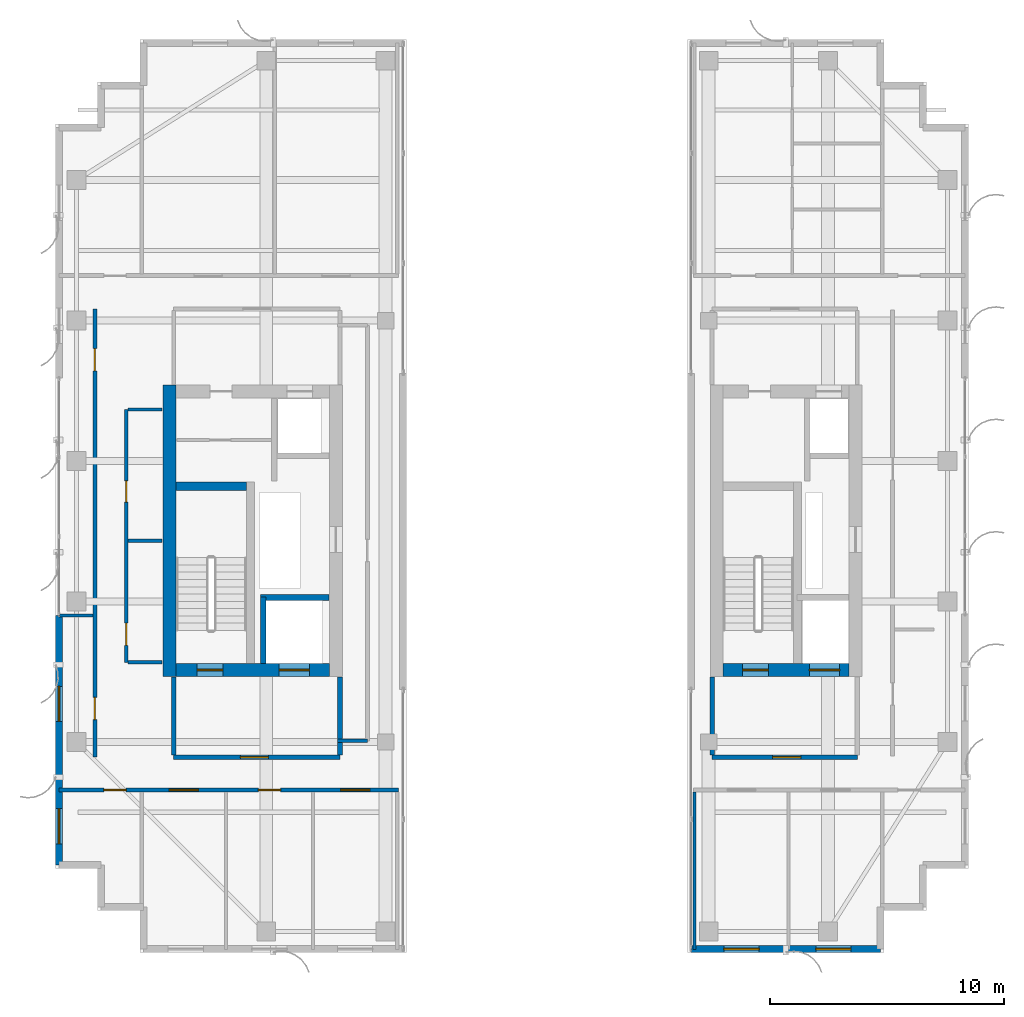
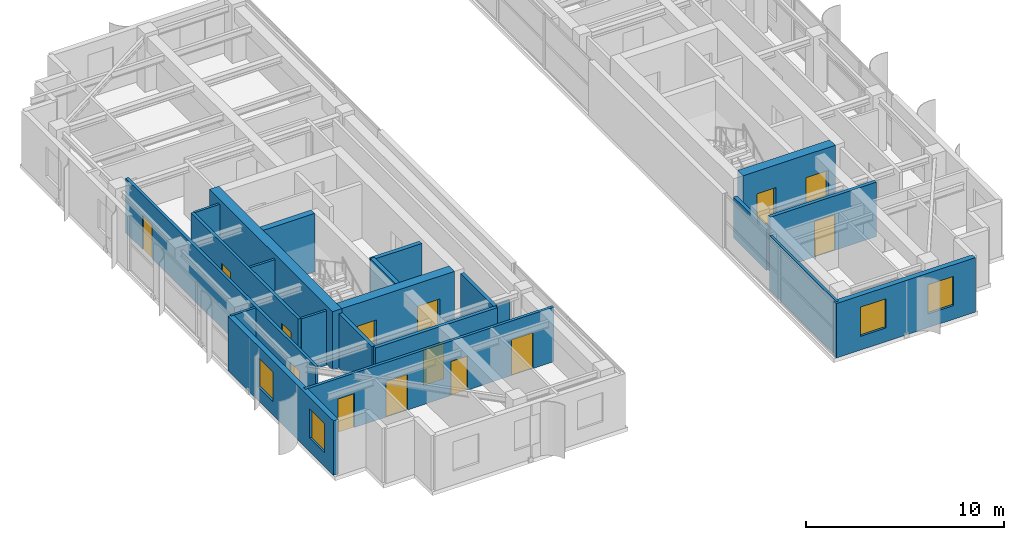
# One storey, part 18 of 24: 22 walls, 14 doors, 4 windows, 18 openings.
"""IFC4 building model written with IfcOpenShell, lengths in metres."""

import ifcopenshell
import ifcopenshell.guid

model = None  # the IFC model being written
_history = None  # IfcOwnerHistory: only IFC2X3 demands one
_inside = {}  # id of a spatial element -> (the spatial element, [elements in it])
_under = {}  # id of a project, library or spatial element -> (it, [spatial elements below it])
_declared = {}  # id of a project -> (the project, [libraries it declares])
_typed = {}  # id of a type object -> (the type object, [elements of that type])
_made_of = {}  # id of a material, layer set ... -> (it, [elements and type objects made of it])


def new_model(schema):
    """Start an empty IFC model of exactly this schema.

    Asked for "IFC4X3", IfcOpenShell would pick the latest addendum, in which some entities
    have other attributes; the version numbers below select the first issue.
    IFC2X3 requires an IfcOwnerHistory on every rooted entity: one is made here for all.
    """
    global model, _history
    if schema == "IFC4X3":
        model = ifcopenshell.file(schema_version=(4, 3, 0, 0))
    else:
        model = ifcopenshell.file(schema=schema)
    _inside.clear()
    _under.clear()
    _declared.clear()
    _typed.clear()
    _made_of.clear()
    _history = None
    if model.schema == "IFC2X3":
        org = make("IfcOrganization", Name="unknown")
        user = make(
            "IfcPersonAndOrganization",
            ThePerson=make("IfcPerson", FamilyName="unknown"),
            TheOrganization=org,
        )
        app = make(
            "IfcApplication",
            ApplicationDeveloper=org,
            Version="unknown",
            ApplicationFullName="unknown",
            ApplicationIdentifier="unknown",
        )
        _history = make(
            "IfcOwnerHistory",
            OwningUser=user,
            OwningApplication=app,
            ChangeAction="ADDED",
            CreationDate=0,
        )
    return model


def make(cls, **values):
    """One entity of the class cls with the attributes given. An attribute that is None is left unset."""
    return model.create_entity(
        cls, **{name: value for name, value in values.items() if value is not None}
    )


def rooted(cls, **values):
    """An entity with a GlobalId (a new one), such as an element, a storey or a relation."""
    return make(cls, GlobalId=ifcopenshell.guid.new(), OwnerHistory=_history, **values)


def si_unit(unit_type, name, prefix=None):
    """IfcSIUnit, for example si_unit("LENGTHUNIT", "METRE", prefix="MILLI")."""
    return make("IfcSIUnit", UnitType=unit_type, Prefix=prefix, Name=name)


def assignment(units):
    """IfcUnitAssignment: the units of a project."""
    return None if units is None else make("IfcUnitAssignment", Units=units)


def point(xyz):
    """IfcCartesianPoint."""
    return None if xyz is None else make("IfcCartesianPoint", Coordinates=xyz)


def direction(xyz):
    """IfcDirection."""
    return None if xyz is None else make("IfcDirection", DirectionRatios=xyz)


def frame(location, z_axis=None, x_axis=None):
    """IfcAxis2Placement3D, a coordinate frame: its origin and axes. An axis left out is left unset."""
    return make(
        "IfcAxis2Placement3D",
        Location=point(location),
        Axis=direction(z_axis),
        RefDirection=direction(x_axis),
    )


def frame_2d(location, x_axis=None):
    """IfcAxis2Placement2D, a coordinate frame in the plane: its origin and x axis."""
    return make(
        "IfcAxis2Placement2D", Location=point(location), RefDirection=direction(x_axis)
    )


def origin():
    """The frame at (0, 0, 0) with its axes left unset."""
    return frame((0.0, 0.0, 0.0))


def place(relative_to, where):
    """IfcLocalPlacement: puts the frame where relative to a parent placement (None: the world)."""
    return make(
        "IfcLocalPlacement", PlacementRelTo=relative_to, RelativePlacement=where
    )


def context(
    kind, dimensions, precision=None, world=None, true_north=None, identifier=None
):
    """IfcGeometricRepresentationContext, for example the 3D "Model" context."""
    return make(
        "IfcGeometricRepresentationContext",
        ContextIdentifier=identifier,
        ContextType=kind,
        CoordinateSpaceDimension=dimensions,
        Precision=precision,
        WorldCoordinateSystem=world,
        TrueNorth=true_north,
    )


def subcontext(parent, identifier, kind, view, scale=None):
    """IfcGeometricRepresentationSubContext, for example "Body" below "Model"."""
    return make(
        "IfcGeometricRepresentationSubContext",
        ContextIdentifier=identifier,
        ContextType=kind,
        ParentContext=parent,
        TargetScale=scale,
        TargetView=view,
    )


def project(units=None, contexts=None):
    """IfcProject with its units and contexts."""
    return rooted(
        "IfcProject",
        Name="project",
        RepresentationContexts=contexts,
        UnitsInContext=assignment(units),
    )


def spatial(cls, under=None, at=None, **own):
    """A site, building, storey or space (cls), placed at a placement, below another one or the project."""
    s = rooted(cls, ObjectPlacement=at, **own)
    if under is not None:
        _under.setdefault(under.id(), (under, []))[1].append(s)
    return s


def profile(cls, at=None, kind="AREA", **sizes):
    """A parametric profile (cls). Its sizes go by their IFC names, for example OverallWidth=200.0."""
    return make(cls, ProfileType=kind, Position=at, **sizes)


def rectangle(**sizes):
    """IfcRectangleProfileDef."""
    return profile("IfcRectangleProfileDef", **sizes)


def extrude(swept, where, along, depth):
    """IfcExtrudedAreaSolid: the profile swept, set in the frame where, extruded along a direction by depth."""
    return make(
        "IfcExtrudedAreaSolid",
        SweptArea=swept,
        Position=where,
        ExtrudedDirection=direction(along),
        Depth=depth,
    )


def shape(context_of_items, identifier, shape_type, items):
    """IfcShapeRepresentation: the items that make up one representation, for example the "Body"."""
    return make(
        "IfcShapeRepresentation",
        ContextOfItems=context_of_items,
        RepresentationIdentifier=identifier,
        RepresentationType=shape_type,
        Items=items,
    )


def source(mapping_origin, context_of_items, identifier, shape_type, items):
    """IfcRepresentationMap: a shape defined once, which mapped items show again and again."""
    return make(
        "IfcRepresentationMap",
        MappingOrigin=mapping_origin,
        MappedRepresentation=shape(context_of_items, identifier, shape_type, items),
    )


def transform(
    local_origin,
    x_axis=None,
    y_axis=None,
    z_axis=None,
    scale=None,
    scale2=None,
    scale3=None,
    uniform=True,
):
    """IfcCartesianTransformationOperator3D, or its non-uniform kind. x_axis, y_axis, z_axis: its Axis1, 2, 3."""
    if uniform:
        return make(
            "IfcCartesianTransformationOperator3D",
            Axis1=direction(x_axis),
            Axis2=direction(y_axis),
            LocalOrigin=point(local_origin),
            Scale=scale,
            Axis3=direction(z_axis),
        )
    return make(
        "IfcCartesianTransformationOperator3DnonUniform",
        Axis1=direction(x_axis),
        Axis2=direction(y_axis),
        LocalOrigin=point(local_origin),
        Scale=scale,
        Axis3=direction(z_axis),
        Scale2=scale2,
        Scale3=scale3,
    )


def mapped(mapping_source, mapping_target):
    """IfcMappedItem: shows the shape of a source again, moved by a transform."""
    return make(
        "IfcMappedItem", MappingSource=mapping_source, MappingTarget=mapping_target
    )


def material(Name=None, Category=None):
    """IfcMaterial."""
    return make("IfcMaterial", Name=Name, Category=Category)


def layer(
    of_material, thickness, ventilated=None, Name=None, Category=None, Priority=None
):
    """IfcMaterialLayer: one layer of a wall or slab, of a material (None: an air gap)."""
    return make(
        "IfcMaterialLayer",
        Material=of_material,
        LayerThickness=thickness,
        IsVentilated=ventilated,
        Name=Name,
        Category=Category,
        Priority=Priority,
    )


def layer_set(layers, Name=None):
    """IfcMaterialLayerSet."""
    return make("IfcMaterialLayerSet", MaterialLayers=layers, LayerSetName=Name)


def made_of(thing, what):
    """Note that an element or type object is made of a material, layer set ...; save() writes the relation."""
    if what is not None:
        _made_of.setdefault(what.id(), (what, []))[1].append(thing)
    return thing


def type_object(cls, material=None, **own):
    """A type object (cls), such as IfcWallType, which elements share."""
    return made_of(rooted(cls, **own), material)


def element(
    cls,
    number,
    at=None,
    inside=None,
    cuts=None,
    type_object=None,
    material=None,
    context=None,
    identifier="Body",
    shape_type=None,
    held_by="IfcProductDefinitionShape",
    body=None,
    shapes=None,
    **own,
):
    """One element of the class cls, such as IfcWall. Its Tag is "e" and its number.

    at: its placement. inside: the storey or other place that contains it. cuts: it is an
    opening in that element (IfcRelVoidsElement). A single representation is given by context,
    identifier, shape_type and body (its items); several are given by shapes. held_by: the class
    of the entity that holds the representations. save() writes the other relations.
    """
    e = rooted(cls, Tag="e%d" % number, ObjectPlacement=at, **own)
    if body is not None:
        shapes = [shape(context, identifier, shape_type, body)]
    if shapes is not None:
        e.Representation = make(held_by, Representations=shapes)
    if inside is not None:
        _inside.setdefault(inside.id(), (inside, []))[1].append(e)
    if cuts is not None:
        rooted(
            "IfcRelVoidsElement", RelatingBuildingElement=cuts, RelatedOpeningElement=e
        )
    if type_object is not None:
        _typed.setdefault(type_object.id(), (type_object, []))[1].append(e)
    return made_of(e, material)


def fill(opening, filler):
    """IfcRelFillsElement: the door or window that sits in an opening."""
    return rooted(
        "IfcRelFillsElement",
        RelatingOpeningElement=opening,
        RelatedBuildingElement=filler,
    )


def aggregate(whole, parts):
    """IfcRelAggregates: a whole, such as a stair, and the parts it consists of."""
    return rooted("IfcRelAggregates", RelatingObject=whole, RelatedObjects=parts)


def save(model, path):
    """Write the relations noted so far, then the file.

    IfcRelAggregates (storeys below a building ...), IfcRelContainedInSpatialStructure (elements
    in a storey), IfcRelDefinesByType, IfcRelAssociatesMaterial and IfcRelDeclares: one each for
    every whole, place, type object, material and project.
    """
    for whole, parts in _under.values():
        aggregate(whole, parts)
    for where, things in _inside.values():
        rooted(
            "IfcRelContainedInSpatialStructure",
            RelatedElements=things,
            RelatingStructure=where,
        )
    for kind, things in _typed.values():
        rooted("IfcRelDefinesByType", RelatedObjects=things, RelatingType=kind)
    for what, things in _made_of.values():
        rooted("IfcRelAssociatesMaterial", RelatedObjects=things, RelatingMaterial=what)
    for by, libraries in _declared.values():
        rooted("IfcRelDeclares", RelatingContext=by, RelatedDefinitions=libraries)
    model.write(path)


model = new_model("IFC4")

# Units and contexts
model_context = context("Model", 3, precision=1e-05, world=origin(), true_north=direction((0.0, 1.0)))
body_context = subcontext(model_context, "Body", "Model", "MODEL_VIEW")
ifc_project = project(units=[si_unit("LENGTHUNIT", "METRE"), si_unit("AREAUNIT", "SQUARE_METRE"), si_unit("VOLUMEUNIT", "CUBIC_METRE"), si_unit("PLANEANGLEUNIT", "RADIAN"), si_unit("MASSUNIT", "GRAM", prefix="KILO")], contexts=[model_context])

# Site, building, storey
site_placement = place(None, origin())
site = spatial("IfcSite", under=ifc_project, at=site_placement, CompositionType="ELEMENT")
building_placement = place(site_placement, origin())
building = spatial("IfcBuilding", under=site, at=building_placement, Name="Khoralis Quay Care Tower", CompositionType="ELEMENT")
storey_placement = place(building_placement, frame((0.0, 0.0, 249.300048828125)))
storey = spatial("IfcBuildingStorey", under=building, at=storey_placement, Name="L65", CompositionType="ELEMENT", Elevation=249.300048828125)

# Wall, opening, door
ifc_material_1 = material(Name="Gypsum plasterboard on acoustic metal stud")
ifc_layer_1 = layer(ifc_material_1, 0.199951171875)
ifc_layer_set_1 = layer_set([ifc_layer_1], Name="Gypsum plasterboard on acoustic metal stud")
wall_type_1 = type_object("IfcWallType", Name="WL-COMP-200", PredefinedType="PARTITIONING", material=ifc_layer_set_1)
wall_1_placement = place(storey_placement, frame((8.050048828125, 11.35009765625, 0.0), z_axis=(0.0, 0.0, 1.0), x_axis=(1.0, 0.0, 0.0)))
wall_1 = element("IfcWall", 1, at=wall_1_placement, inside=storey, type_object=wall_type_1, Name="L65 West Firefighting Lobby South Wall", PredefinedType="PARTITIONING", context=body_context, shape_type="SweptSolid", body=[
    extrude(rectangle(XDim=7.099853515625, YDim=0.199951171875, at=frame_2d((3.5498046875, 0.0))), origin(), (0.0, 0.0, 1.0), 3.35986328125),
])
opening_1_placement = place(wall_1_placement, frame((2.846435546875, 0.0, 0.0)))
opening_1 = element("IfcOpeningElement", 2, at=opening_1_placement, cuts=wall_1, Name="Opening FD1", PredefinedType="OPENING", context=body_context, shape_type="SweptSolid", body=[
    extrude(rectangle(XDim=1.199951171875, YDim=2.199951171875, at=frame_2d((0.60009765625, 1.10009765625))), frame((0.0, 0.10986328125, 0.0), z_axis=(0.0, -1.0, 0.0), x_axis=(1.0, 0.0, 0.0)), (0.0, 0.0, 1.0), 0.219970703125),
])
ifc_material_2 = material(Name="Fire-rated painted steel", Category="steel")
door_type_1 = type_object("IfcDoorType", Name="DR-FFL-1200X2200", OperationType="NOTDEFINED", PredefinedType="DOOR", material=ifc_material_2)
shared_shape_1 = source(origin(), body_context, "Body", "SweptSolid", [
    extrude(rectangle(XDim=1.199951171875, YDim=2.199951171875, at=frame_2d((0.60009765625, 1.10009765625))), frame((0.0, 0.02490234375, 0.0), z_axis=(0.0, -1.0, 0.0), x_axis=(1.0, 0.0, 0.0)), (0.0, 0.0, 1.0), 0.050048828125),
])
door_1_placement = place(opening_1_placement, origin())
door_1 = element("IfcDoor", 3, at=door_1_placement, inside=storey, type_object=door_type_1, Name="L65 West Firefighting Lobby Fire Door", OperationType="SINGLE_SWING_LEFT", OverallHeight=2.199951171875, OverallWidth=1.199951171875, PredefinedType="DOOR", context=body_context, shape_type="MappedRepresentation", body=[
    mapped(shared_shape_1, transform((0.0, 0.0, 0.0), scale=1.0)),
])
fill(opening_1, door_1)

# Walls
for number, where, z_axis, x_axis, name in (
    (4, (8.050048828125, 11.445068359375, 0.0), (0.0, 0.0, 1.0), (0.0, 1.0, 0.0), "L65 West Firefighting Lobby West Wall"),
    (5, (15.14990234375, 11.445068359375, 0.0), (0.0, 0.0, 1.0), (0.0, 1.0, 0.0), "L65 West Firefighting Lobby East Wall"),
):
    element("IfcWall", number, at=place(storey_placement, frame(where, z_axis=z_axis, x_axis=x_axis)), inside=storey, type_object=wall_type_1, Name=name, PredefinedType="PARTITIONING", context=body_context, shape_type="SweptSolid", body=[
        extrude(rectangle(XDim=3.3349609375, YDim=0.199951171875, at=frame_2d((1.66748046875, 0.0))), origin(), (0.0, 0.0, 1.0), 3.35986328125),
    ])

# Wall, opening, door
wall_2_placement = place(storey_placement, frame((31.050048828125, 11.35009765625, 0.0), z_axis=(0.0, 0.0, 1.0), x_axis=(1.0, 0.0, 0.0)))
wall_2 = element("IfcWall", 6, at=wall_2_placement, inside=storey, type_object=wall_type_1, Name="L65 East Firefighting Lobby South Wall", PredefinedType="PARTITIONING", context=body_context, shape_type="SweptSolid", body=[
    extrude(rectangle(XDim=6.199951171875, YDim=0.199951171875, at=frame_2d((3.10009765625, 0.0))), origin(), (0.0, 0.0, 1.0), 3.35986328125),
])
opening_2_placement = place(wall_2_placement, frame((2.585693359375, 0.0, 0.0)))
opening_2 = element("IfcOpeningElement", 7, at=opening_2_placement, cuts=wall_2, Name="Opening FD1", PredefinedType="OPENING", context=body_context, shape_type="SweptSolid", body=[
    extrude(rectangle(XDim=1.199951171875, YDim=2.199951171875, at=frame_2d((0.60009765625, 1.10009765625))), frame((0.0, 0.10986328125, 0.0), z_axis=(0.0, -1.0, 0.0), x_axis=(1.0, 0.0, 0.0)), (0.0, 0.0, 1.0), 0.219970703125),
])
door_2_placement = place(opening_2_placement, origin())
door_2 = element("IfcDoor", 8, at=door_2_placement, inside=storey, type_object=door_type_1, Name="L65 East Firefighting Lobby Fire Door", OperationType="SINGLE_SWING_RIGHT", OverallHeight=2.199951171875, OverallWidth=1.199951171875, PredefinedType="DOOR", context=body_context, shape_type="MappedRepresentation", body=[
    mapped(shared_shape_1, transform((0.0, 0.0, 0.0), scale=1.0)),
])
fill(opening_2, door_2)

# Walls
wall_3_placement = place(storey_placement, frame((31.050048828125, 11.445068359375, 0.0), z_axis=(0.0, 0.0, 1.0), x_axis=(0.0, 1.0, 0.0)))
element("IfcWall", 9, at=wall_3_placement, inside=storey, type_object=wall_type_1, Name="L65 East Firefighting Lobby West Wall", PredefinedType="PARTITIONING", context=body_context, shape_type="SweptSolid", body=[
    extrude(rectangle(XDim=3.3349609375, YDim=0.199951171875, at=frame_2d((1.66748046875, 0.0))), origin(), (0.0, 0.0, 1.0), 2.510009765625),
])
ifc_material_3 = material(Name="Concrete C65/80", Category="concrete")
ifc_layer_2 = layer(ifc_material_3, 0.550048828125)
ifc_layer_set_2 = layer_set([ifc_layer_2], Name="Concrete C65/80")
wall_type_2 = type_object("IfcWallType", Name="WL-CORE-550", PredefinedType="SHEAR", material=ifc_layer_set_2)
wall_4_placement = place(storey_placement, frame((7.875, 14.800048828125, 0.0), z_axis=(0.0, 0.0, 1.0), x_axis=(0.0, 1.0, 0.0)))
element("IfcWall", 10, at=wall_4_placement, inside=storey, type_object=wall_type_2, Name="L65 WCORE West Shear Wall", PredefinedType="SHEAR", context=body_context, shape_type="SweptSolid", body=[
    extrude(rectangle(XDim=12.449951171875, YDim=0.550048828125, at=frame_2d((6.22509765625, 0.0))), origin(), (0.0, 0.0, 1.0), 3.599853515625),
])

# Wall, openings, doors
wall_5_placement = place(storey_placement, frame((8.14990234375, 15.074951171875, 0.0), z_axis=(0.0, 0.0, 1.0), x_axis=(1.0, 0.0, 0.0)))
wall_5 = element("IfcWall", 11, at=wall_5_placement, inside=storey, type_object=wall_type_2, Name="L65 WCORE South Shear Wall", PredefinedType="SHEAR", context=body_context, shape_type="SweptSolid", body=[
    extrude(rectangle(XDim=6.550048828125, YDim=0.550048828125, at=frame_2d((3.27490234375, 0.0))), origin(), (0.0, 0.0, 1.0), 3.599853515625),
])
opening_3_placement = place(wall_5_placement, frame((0.89990234375, 0.0, 0.0)))
opening_3 = element("IfcOpeningElement", 12, at=opening_3_placement, cuts=wall_5, Name="Opening SD1", PredefinedType="OPENING", context=body_context, shape_type="SweptSolid", body=[
    extrude(rectangle(XDim=1.10009765625, YDim=2.199951171875, at=frame_2d((0.550048828125, 1.10009765625))), frame((0.0, 0.28515625, 0.0), z_axis=(0.0, -1.0, 0.0), x_axis=(1.0, 0.0, 0.0)), (0.0, 0.0, 1.0), 0.570068359375),
])
opening_4_placement = place(wall_5_placement, frame((4.39990234375, 0.0, 0.0)))
opening_4 = element("IfcOpeningElement", 13, at=opening_4_placement, cuts=wall_5, Name="Opening LD2", PredefinedType="OPENING", context=body_context, shape_type="SweptSolid", body=[
    extrude(rectangle(XDim=1.300048828125, YDim=2.199951171875, at=frame_2d((0.64990234375, 1.10009765625))), frame((0.0, 0.28515625, 0.0), z_axis=(0.0, -1.0, 0.0), x_axis=(1.0, 0.0, 0.0)), (0.0, 0.0, 1.0), 0.570068359375),
])
door_type_2 = type_object("IfcDoorType", Name="DR-STAIR-1100X2200", OperationType="NOTDEFINED", PredefinedType="DOOR", material=ifc_material_2)
shared_shape_2 = source(origin(), body_context, "Body", "SweptSolid", [
    extrude(rectangle(XDim=1.10009765625, YDim=2.199951171875, at=frame_2d((0.550048828125, 1.10009765625))), frame((0.0, 0.02490234375, 0.0), z_axis=(0.0, -1.0, 0.0), x_axis=(1.0, 0.0, 0.0)), (0.0, 0.0, 1.0), 0.050048828125),
])
door_3_placement = place(opening_3_placement, origin())
door_3 = element("IfcDoor", 14, at=door_3_placement, inside=storey, type_object=door_type_2, Name="L65 Stair ST-T1 Fire Door", OperationType="SINGLE_SWING_LEFT", OverallHeight=2.199951171875, OverallWidth=1.10009765625, PredefinedType="DOOR", context=body_context, shape_type="MappedRepresentation", body=[
    mapped(shared_shape_2, transform((0.0, 0.0, 0.0), scale=1.0)),
])
fill(opening_3, door_3)
ifc_material_4 = material(Name="Brushed stainless steel", Category="steel")
door_type_3 = type_object("IfcDoorType", Name="DR-LIFT-1300X2200", OperationType="SLIDING_TO_RIGHT", PredefinedType="DOOR", material=ifc_material_4)
shared_shape_3 = source(origin(), body_context, "Body", "SweptSolid", [
    extrude(rectangle(XDim=1.300048828125, YDim=2.199951171875, at=frame_2d((0.64990234375, 1.10009765625))), frame((0.0, 0.02490234375, 0.0), z_axis=(0.0, -1.0, 0.0), x_axis=(1.0, 0.0, 0.0)), (0.0, 0.0, 1.0), 0.050048828125),
])
door_4_placement = place(opening_4_placement, origin())
door_4 = element("IfcDoor", 15, at=door_4_placement, inside=storey, type_object=door_type_3, Name="L65 Firefighting Lift FFL-1 Landing Door", OperationType="SLIDING_TO_RIGHT", OverallHeight=2.199951171875, OverallWidth=1.300048828125, PredefinedType="DOOR", context=body_context, shape_type="MappedRepresentation", body=[
    mapped(shared_shape_3, transform((0.0, 0.0, 0.0), scale=1.0)),
])
fill(opening_4, door_4)

wall_6_placement = place(storey_placement, frame((31.52001953125, 15.074951171875, 0.0), z_axis=(0.0, 0.0, 1.0), x_axis=(1.0, 0.0, 0.0)))
wall_6 = element("IfcWall", 16, at=wall_6_placement, inside=storey, type_object=wall_type_2, Name="L65 ECORE South Shear Wall", PredefinedType="SHEAR", context=body_context, shape_type="SweptSolid", body=[
    extrude(rectangle(XDim=5.3798828125, YDim=0.550048828125, at=frame_2d((2.68994140625, 0.0))), origin(), (0.0, 0.0, 1.0), 3.599853515625),
])
opening_5_placement = place(wall_6_placement, frame((0.830078125, 0.0, 0.0)))
opening_5 = element("IfcOpeningElement", 17, at=opening_5_placement, cuts=wall_6, Name="Opening SD1", PredefinedType="OPENING", context=body_context, shape_type="SweptSolid", body=[
    extrude(rectangle(XDim=1.10009765625, YDim=2.199951171875, at=frame_2d((0.550048828125, 1.10009765625))), frame((0.0, 0.28515625, 0.0), z_axis=(0.0, -1.0, 0.0), x_axis=(1.0, 0.0, 0.0)), (0.0, 0.0, 1.0), 0.570068359375),
])
opening_6_placement = place(wall_6_placement, frame((3.679931640625, 0.0, 0.0)))
opening_6 = element("IfcOpeningElement", 18, at=opening_6_placement, cuts=wall_6, Name="Opening LD2", PredefinedType="OPENING", context=body_context, shape_type="SweptSolid", body=[
    extrude(rectangle(XDim=1.300048828125, YDim=2.199951171875, at=frame_2d((0.64990234375, 1.10009765625))), frame((0.0, 0.28515625, 0.0), z_axis=(0.0, -1.0, 0.0), x_axis=(1.0, 0.0, 0.0)), (0.0, 0.0, 1.0), 0.570068359375),
])
door_5_placement = place(opening_5_placement, origin())
door_5 = element("IfcDoor", 19, at=door_5_placement, inside=storey, type_object=door_type_2, Name="L65 Stair ST-T2 Fire Door", OperationType="SINGLE_SWING_RIGHT", OverallHeight=2.199951171875, OverallWidth=1.10009765625, PredefinedType="DOOR", context=body_context, shape_type="MappedRepresentation", body=[
    mapped(shared_shape_2, transform((0.0, 0.0, 0.0), scale=1.0)),
])
fill(opening_5, door_5)
door_6_placement = place(opening_6_placement, origin())
door_6 = element("IfcDoor", 20, at=door_6_placement, inside=storey, type_object=door_type_3, Name="L65 Firefighting Lift FFL-2 Landing Door", OperationType="SLIDING_TO_RIGHT", OverallHeight=2.199951171875, OverallWidth=1.300048828125, PredefinedType="DOOR", context=body_context, shape_type="MappedRepresentation", body=[
    mapped(shared_shape_3, transform((0.0, 0.0, 0.0), scale=1.0)),
])
fill(opening_6, door_6)

ifc_layer_3 = layer(ifc_material_1, 0.1650390625)
ifc_layer_set_3 = layer_set([ifc_layer_3], Name="Gypsum plasterboard on acoustic metal stud")
wall_type_3 = type_object("IfcWallType", Name="WL-CORR-165", PredefinedType="PARTITIONING", material=ifc_layer_set_3)
wall_7_placement = place(storey_placement, frame((6.02001953125, 15.39990234375, 0.0), z_axis=(0.0, 0.0, 1.0), x_axis=(0.0, 1.0, 0.0)))
wall_7 = element("IfcWall", 21, at=wall_7_placement, inside=storey, type_object=wall_type_3, Name="L65 West Core Service Flank Wall", PredefinedType="PARTITIONING", context=body_context, shape_type="SweptSolid", body=[
    extrude(rectangle(XDim=10.800048828125, YDim=0.1650390625, at=frame_2d((5.39990234375, 0.0))), origin(), (0.0, 0.0, 1.0), 3.35986328125),
])
opening_7_placement = place(wall_7_placement, frame((0.72509765625, 0.0, 0.0)))
opening_7 = element("IfcOpeningElement", 22, at=opening_7_placement, cuts=wall_7, Name="Opening ID1", PredefinedType="OPENING", context=body_context, shape_type="SweptSolid", body=[
    extrude(rectangle(XDim=0.949951171875, YDim=2.10009765625, at=frame_2d((0.47509765625, 1.050048828125))), frame((0.0, 0.092529296875, 0.0), z_axis=(0.0, -1.0, 0.0), x_axis=(1.0, 0.0, 0.0)), (0.0, 0.0, 1.0), 0.18505859375),
])
opening_8_placement = place(wall_7_placement, frame((6.85009765625, 0.0, 0.0)))
opening_8 = element("IfcOpeningElement", 23, at=opening_8_placement, cuts=wall_7, Name="Opening WD1", PredefinedType="OPENING", context=body_context, shape_type="SweptSolid", body=[
    extrude(rectangle(XDim=0.89990234375, YDim=2.10009765625, at=frame_2d((0.449951171875, 1.050048828125))), frame((0.0, 0.092529296875, 0.0), z_axis=(0.0, -1.0, 0.0), x_axis=(1.0, 0.0, 0.0)), (0.0, 0.0, 1.0), 0.18505859375),
])
ifc_material_5 = material(Name="Acoustic hardwood timber", Category="wood")
door_type_4 = type_object("IfcDoorType", Name="DR-BATH-900X2100", OperationType="NOTDEFINED", PredefinedType="DOOR", material=ifc_material_5)
shared_shape_4 = source(origin(), body_context, "Body", "SweptSolid", [
    extrude(rectangle(XDim=0.89990234375, YDim=2.10009765625, at=frame_2d((0.449951171875, 1.050048828125))), frame((0.0, 0.02490234375, 0.0), z_axis=(0.0, -1.0, 0.0), x_axis=(1.0, 0.0, 0.0)), (0.0, 0.0, 1.0), 0.050048828125),
])
door_7_placement = place(opening_8_placement, frame((0.89990234375, 0.0, 0.0), z_axis=(0.0, 0.0, 1.0), x_axis=(-1.0, 0.0, 0.0)))
door_7 = element("IfcDoor", 24, at=door_7_placement, inside=storey, type_object=door_type_4, Name="L65 Public Accessible WC Door", OperationType="SINGLE_SWING_LEFT", OverallHeight=2.10009765625, OverallWidth=0.89990234375, PredefinedType="DOOR", context=body_context, shape_type="MappedRepresentation", body=[
    mapped(shared_shape_4, transform((0.0, 0.0, 0.0), scale=1.0)),
])
fill(opening_8, door_7)
door_type_5 = type_object("IfcDoorType", Name="DR-ROOM-950X2100", OperationType="NOTDEFINED", PredefinedType="DOOR", material=ifc_material_5)
shared_shape_5 = source(origin(), body_context, "Body", "SweptSolid", [
    extrude(rectangle(XDim=0.949951171875, YDim=2.10009765625, at=frame_2d((0.47509765625, 1.050048828125))), frame((0.0, 0.02490234375, 0.0), z_axis=(0.0, -1.0, 0.0), x_axis=(1.0, 0.0, 0.0)), (0.0, 0.0, 1.0), 0.050048828125),
])
door_8_placement = place(opening_7_placement, frame((0.949951171875, 0.0, 0.0), z_axis=(0.0, 0.0, 1.0), x_axis=(-1.0, 0.0, 0.0)))
door_8 = element("IfcDoor", 25, at=door_8_placement, inside=storey, type_object=door_type_5, Name="L65 Housekeeping Linen Store Door", OperationType="SINGLE_SWING_RIGHT", OverallHeight=2.10009765625, OverallWidth=0.949951171875, PredefinedType="DOOR", context=body_context, shape_type="MappedRepresentation", body=[
    mapped(shared_shape_5, transform((0.0, 0.0, 0.0), scale=1.0)),
])
fill(opening_7, door_8)

wall_8_placement = place(storey_placement, frame((3.14501953125, 9.949951171875, 0.0), z_axis=(0.0, 0.0, 1.0), x_axis=(1.0, 0.0, 0.0)))
wall_8 = element("IfcWall", 26, at=wall_8_placement, inside=storey, type_object=wall_type_3, Name="L65 West Wing South Corridor Wall", PredefinedType="PARTITIONING", context=body_context, shape_type="SweptSolid", body=[
    extrude(rectangle(XDim=14.5048828125, YDim=0.1650390625, at=frame_2d((7.25244140625, 0.0))), origin(), (0.0, 0.0, 1.0), 3.35986328125),
])
opening_9_placement = place(wall_8_placement, frame((4.7099609375, 0.0, 0.0)))
opening_9 = element("IfcOpeningElement", 27, at=opening_9_placement, cuts=wall_8, Name="Opening CD1", PredefinedType="OPENING", context=body_context, shape_type="SweptSolid", body=[
    extrude(rectangle(XDim=1.25, YDim=2.199951171875, at=frame_2d((0.625, 1.10009765625))), frame((0.0, 0.092529296875, 0.0), z_axis=(0.0, -1.0, 0.0), x_axis=(1.0, 0.0, 0.0)), (0.0, 0.0, 1.0), 0.18505859375),
])
opening_10_placement = place(wall_8_placement, frame((8.52001953125, 0.0, 0.0)))
opening_10 = element("IfcOpeningElement", 28, at=opening_10_placement, cuts=wall_8, Name="Opening ID1", PredefinedType="OPENING", context=body_context, shape_type="SweptSolid", body=[
    extrude(rectangle(XDim=0.949951171875, YDim=2.10009765625, at=frame_2d((0.47509765625, 1.050048828125))), frame((0.0, 0.092529296875, 0.0), z_axis=(0.0, -1.0, 0.0), x_axis=(1.0, 0.0, 0.0)), (0.0, 0.0, 1.0), 0.18505859375),
])
opening_11_placement = place(wall_8_placement, frame((12.030029296875, 0.0, 0.0)))
opening_11 = element("IfcOpeningElement", 29, at=opening_11_placement, cuts=wall_8, Name="Opening CD1", PredefinedType="OPENING", context=body_context, shape_type="SweptSolid", body=[
    extrude(rectangle(XDim=1.25, YDim=2.199951171875, at=frame_2d((0.625, 1.10009765625))), frame((0.0, 0.092529296875, 0.0), z_axis=(0.0, -1.0, 0.0), x_axis=(1.0, 0.0, 0.0)), (0.0, 0.0, 1.0), 0.18505859375),
])
opening_12_placement = place(wall_8_placement, frame((1.919921875, 0.0, 0.0)))
opening_12 = element("IfcOpeningElement", 30, at=opening_12_placement, cuts=wall_8, Name="Opening ID1", PredefinedType="OPENING", context=body_context, shape_type="SweptSolid", body=[
    extrude(rectangle(XDim=0.949951171875, YDim=2.10009765625, at=frame_2d((0.47509765625, 1.050048828125))), frame((0.0, 0.092529296875, 0.0), z_axis=(0.0, -1.0, 0.0), x_axis=(1.0, 0.0, 0.0)), (0.0, 0.0, 1.0), 0.18505859375),
])
door_type_6 = type_object("IfcDoorType", Name="DR-CARE-1250X2200", OperationType="NOTDEFINED", PredefinedType="DOOR", material=ifc_material_5)
shared_shape_6 = source(origin(), body_context, "Body", "SweptSolid", [
    extrude(rectangle(XDim=1.25, YDim=2.199951171875, at=frame_2d((0.625, 1.10009765625))), frame((0.0, 0.02490234375, 0.0), z_axis=(0.0, -1.0, 0.0), x_axis=(1.0, 0.0, 0.0)), (0.0, 0.0, 1.0), 0.050048828125),
])
door_9_placement = place(opening_9_placement, frame((1.25, 0.0, 0.0), z_axis=(0.0, 0.0, 1.0), x_axis=(-1.0, 0.0, 0.0)))
door_9 = element("IfcDoor", 31, at=door_9_placement, inside=storey, type_object=door_type_6, Name="L65 Geriatric Consultation Clinic Door", OperationType="SINGLE_SWING_RIGHT", OverallHeight=2.199951171875, OverallWidth=1.25, PredefinedType="DOOR", context=body_context, shape_type="MappedRepresentation", body=[
    mapped(shared_shape_6, transform((0.0, 0.0, 0.0), scale=1.0)),
])
fill(opening_9, door_9)
door_10_placement = place(opening_11_placement, frame((1.25, 0.0, 0.0), z_axis=(0.0, 0.0, 1.0), x_axis=(-1.0, 0.0, 0.0)))
door_10 = element("IfcDoor", 32, at=door_10_placement, inside=storey, type_object=door_type_6, Name="L65 Physiotherapy Treatment Clinic Door", OperationType="SINGLE_SWING_RIGHT", OverallHeight=2.199951171875, OverallWidth=1.25, PredefinedType="DOOR", context=body_context, shape_type="MappedRepresentation", body=[
    mapped(shared_shape_6, transform((0.0, 0.0, 0.0), scale=1.0)),
])
fill(opening_11, door_10)
door_11_placement = place(opening_10_placement, frame((0.949951171875, 0.0, 0.0), z_axis=(0.0, 0.0, 1.0), x_axis=(-1.0, 0.0, 0.0)))
door_11 = element("IfcDoor", 33, at=door_11_placement, inside=storey, type_object=door_type_5, Name="L65 Care Coordination Office Door", OperationType="SINGLE_SWING_RIGHT", OverallHeight=2.10009765625, OverallWidth=0.949951171875, PredefinedType="DOOR", context=body_context, shape_type="MappedRepresentation", body=[
    mapped(shared_shape_5, transform((0.0, 0.0, 0.0), scale=1.0)),
])
fill(opening_10, door_11)
door_12_placement = place(opening_12_placement, frame((0.949951171875, 0.0, 0.0), z_axis=(0.0, 0.0, 1.0), x_axis=(-1.0, 0.0, 0.0)))
door_12 = element("IfcDoor", 34, at=door_12_placement, inside=storey, type_object=door_type_5, Name="L65 SW Corner Door", OperationType="SINGLE_SWING_LEFT", OverallHeight=2.10009765625, OverallWidth=0.949951171875, PredefinedType="DOOR", context=body_context, shape_type="MappedRepresentation", body=[
    mapped(shared_shape_5, transform((0.0, 0.0, 0.0), scale=1.0)),
])
fill(opening_12, door_12)

wall_9_placement = place(storey_placement, frame((4.679931640625, 11.35009765625, 0.0), z_axis=(0.0, 0.0, 1.0), x_axis=(0.0, 1.0, 0.0)))
wall_9 = element("IfcWall", 35, at=wall_9_placement, inside=storey, type_object=wall_type_3, Name="L65 West Mid South Entry Wall", PredefinedType="PARTITIONING", context=body_context, shape_type="SweptSolid", body=[
    extrude(rectangle(XDim=19.14990234375, YDim=0.1650390625, at=frame_2d((9.574951171875, 0.0))), origin(), (0.0, 0.0, 1.0), 3.35986328125),
])
opening_13_placement = place(wall_9_placement, frame((1.60009765625, 0.0, 0.0)))
opening_13 = element("IfcOpeningElement", 36, at=opening_13_placement, cuts=wall_9, Name="Opening ID1", PredefinedType="OPENING", context=body_context, shape_type="SweptSolid", body=[
    extrude(rectangle(XDim=0.949951171875, YDim=2.10009765625, at=frame_2d((0.47509765625, 1.050048828125))), frame((0.0, 0.092529296875, 0.0), z_axis=(0.0, -1.0, 0.0), x_axis=(1.0, 0.0, 0.0)), (0.0, 0.0, 1.0), 0.18505859375),
])
opening_14_placement = place(wall_9_placement, frame((16.5, 0.0, 0.0)))
opening_14 = element("IfcOpeningElement", 37, at=opening_14_placement, cuts=wall_9, Name="Opening ID1", PredefinedType="OPENING", context=body_context, shape_type="SweptSolid", body=[
    extrude(rectangle(XDim=0.949951171875, YDim=2.10009765625, at=frame_2d((0.47509765625, 1.050048828125))), frame((0.0, 0.092529296875, 0.0), z_axis=(0.0, -1.0, 0.0), x_axis=(1.0, 0.0, 0.0)), (0.0, 0.0, 1.0), 0.18505859375),
])
door_13_placement = place(opening_13_placement, frame((0.949951171875, 0.0, 0.0), z_axis=(0.0, 0.0, 1.0), x_axis=(-1.0, 0.0, 0.0)))
door_13 = element("IfcDoor", 38, at=door_13_placement, inside=storey, type_object=door_type_5, Name="L65 West Consultation Clinic Door", OperationType="SINGLE_SWING_LEFT", OverallHeight=2.10009765625, OverallWidth=0.949951171875, PredefinedType="DOOR", context=body_context, shape_type="MappedRepresentation", body=[
    mapped(shared_shape_5, transform((0.0, 0.0, 0.0), scale=1.0)),
])
fill(opening_13, door_13)
door_14_placement = place(opening_14_placement, frame((0.949951171875, 0.0, 0.0), z_axis=(0.0, 0.0, 1.0), x_axis=(-1.0, 0.0, 0.0)))
door_14 = element("IfcDoor", 39, at=door_14_placement, inside=storey, type_object=door_type_5, Name="L65 West Resident Day Lounge Door", OperationType="SINGLE_SWING_RIGHT", OverallHeight=2.10009765625, OverallWidth=0.949951171875, PredefinedType="DOOR", context=body_context, shape_type="MappedRepresentation", body=[
    mapped(shared_shape_5, transform((0.0, 0.0, 0.0), scale=1.0)),
])
fill(opening_14, door_14)

# Wall, openings, windows
ifc_material_6 = material(Name="Precast concrete C45/55", Category="concrete")
ifc_layer_4 = layer(ifc_material_6, 0.300048828125)
ifc_layer_set_4 = layer_set([ifc_layer_4], Name="Precast concrete C45/55")
wall_type_4 = type_object("IfcWallType", Name="WL-EXT-REF-300", PredefinedType="SOLIDWALL", material=ifc_layer_set_4)
wall_10_placement = place(storey_placement, frame((3.14990234375, 17.39990234375, 0.0), z_axis=(0.0, 0.0, 1.0), x_axis=(0.0, -1.0, 0.0)))
wall_10 = element("IfcWall", 40, at=wall_10_placement, inside=storey, type_object=wall_type_4, Name="L65 External Facade Wall WL-EXT-L65-P1-E7B", PredefinedType="SOLIDWALL", context=body_context, shape_type="SweptSolid", body=[
    extrude(rectangle(XDim=10.64990234375, YDim=0.300048828125, at=frame_2d((5.324951171875, 0.0))), origin(), (0.0, 0.0, 1.0), 3.35986328125),
])
opening_15_placement = place(wall_10_placement, frame((3.02490234375, 0.0, 0.85009765625)))
opening_15 = element("IfcOpeningElement", 41, at=opening_15_placement, cuts=wall_10, Name="Opening W3", PredefinedType="OPENING", context=body_context, shape_type="SweptSolid", body=[
    extrude(rectangle(XDim=1.5, YDim=1.800048828125, at=frame_2d((0.75, 0.89990234375))), frame((0.0, 0.16015625, 0.0), z_axis=(0.0, -1.0, 0.0), x_axis=(1.0, 0.0, 0.0)), (0.0, 0.0, 1.0), 0.320068359375),
])
opening_16_placement = place(wall_10_placement, frame((8.25, 0.0, 0.85009765625)))
opening_16 = element("IfcOpeningElement", 42, at=opening_16_placement, cuts=wall_10, Name="Opening W3", PredefinedType="OPENING", context=body_context, shape_type="SweptSolid", body=[
    extrude(rectangle(XDim=1.5, YDim=1.800048828125, at=frame_2d((0.75, 0.89990234375))), frame((0.0, 0.16015625, 0.0), z_axis=(0.0, -1.0, 0.0), x_axis=(1.0, 0.0, 0.0)), (0.0, 0.0, 1.0), 0.320068359375),
])
ifc_material_7 = material(Name="Low-E solar-control double glazing", Category="glass")
window_type = type_object("IfcWindowType", Name="WN-CLIN-1500X1800", PartitioningType="SINGLE_PANEL", PredefinedType="WINDOW", material=ifc_material_7)
shared_shape_7 = source(origin(), body_context, "Body", "SweptSolid", [
    extrude(rectangle(XDim=1.5, YDim=1.800048828125, at=frame_2d((0.75, 0.89990234375))), frame((0.0, 0.030029296875, 0.0), z_axis=(0.0, -1.0, 0.0), x_axis=(1.0, 0.0, 0.0)), (0.0, 0.0, 1.0), 0.06005859375),
])
window_1_placement = place(opening_15_placement, origin())
window_1 = element("IfcWindow", 43, at=window_1_placement, inside=storey, type_object=window_type, Name="WN-L65-P1-E7B Facade Window 01", OverallHeight=1.800048828125, OverallWidth=1.5, PartitioningType="SINGLE_PANEL", PredefinedType="WINDOW", context=body_context, shape_type="MappedRepresentation", body=[
    mapped(shared_shape_7, transform((0.0, 0.0, 0.0), scale=1.0)),
])
fill(opening_15, window_1)
window_2_placement = place(opening_16_placement, origin())
window_2 = element("IfcWindow", 44, at=window_2_placement, inside=storey, type_object=window_type, Name="WN-L65-P1-E7B Facade Window 02", OverallHeight=1.800048828125, OverallWidth=1.5, PartitioningType="SINGLE_PANEL", PredefinedType="WINDOW", context=body_context, shape_type="MappedRepresentation", body=[
    mapped(shared_shape_7, transform((0.0, 0.0, 0.0), scale=1.0)),
])
fill(opening_16, window_2)

wall_11_placement = place(storey_placement, frame((30.14990234375, 3.14990234375, 0.0), z_axis=(0.0, 0.0, 1.0), x_axis=(1.0, 0.0, 0.0)))
wall_11 = element("IfcWall", 45, at=wall_11_placement, inside=storey, type_object=wall_type_4, Name="L65 External Facade Wall WL-EXT-L65-P2-E0", PredefinedType="SOLIDWALL", context=body_context, shape_type="SweptSolid", body=[
    extrude(rectangle(XDim=8.10009765625, YDim=0.300048828125, at=frame_2d((4.050048828125, 0.0))), origin(), (0.0, 0.0, 1.0), 3.35986328125),
])
opening_17_placement = place(wall_11_placement, frame((1.405029296875, 0.0, 0.85009765625)))
opening_17 = element("IfcOpeningElement", 46, at=opening_17_placement, cuts=wall_11, Name="Opening W3", PredefinedType="OPENING", context=body_context, shape_type="SweptSolid", body=[
    extrude(rectangle(XDim=1.5, YDim=1.800048828125, at=frame_2d((0.75, 0.89990234375))), frame((0.0, 0.16015625, 0.0), z_axis=(0.0, -1.0, 0.0), x_axis=(1.0, 0.0, 0.0)), (0.0, 0.0, 1.0), 0.320068359375),
])
opening_18_placement = place(wall_11_placement, frame((5.330078125, 0.0, 0.85009765625)))
opening_18 = element("IfcOpeningElement", 47, at=opening_18_placement, cuts=wall_11, Name="Opening W3", PredefinedType="OPENING", context=body_context, shape_type="SweptSolid", body=[
    extrude(rectangle(XDim=1.5, YDim=1.800048828125, at=frame_2d((0.75, 0.89990234375))), frame((0.0, 0.16015625, 0.0), z_axis=(0.0, -1.0, 0.0), x_axis=(1.0, 0.0, 0.0)), (0.0, 0.0, 1.0), 0.320068359375),
])
window_3_placement = place(opening_17_placement, origin())
window_3 = element("IfcWindow", 48, at=window_3_placement, inside=storey, type_object=window_type, Name="WN-L65-P2-E0 Facade Window 01", OverallHeight=1.800048828125, OverallWidth=1.5, PartitioningType="SINGLE_PANEL", PredefinedType="WINDOW", context=body_context, shape_type="MappedRepresentation", body=[
    mapped(shared_shape_7, transform((0.0, 0.0, 0.0), scale=1.0)),
])
fill(opening_17, window_3)
window_4_placement = place(opening_18_placement, origin())
window_4 = element("IfcWindow", 49, at=window_4_placement, inside=storey, type_object=window_type, Name="WN-L65-P2-E0 Facade Window 02", OverallHeight=1.800048828125, OverallWidth=1.5, PartitioningType="SINGLE_PANEL", PredefinedType="WINDOW", context=body_context, shape_type="MappedRepresentation", body=[
    mapped(shared_shape_7, transform((0.0, 0.0, 0.0), scale=1.0)),
])
fill(opening_18, window_4)

# Walls
ifc_material_8 = material(Name="Moisture-resistant gypsum and ceramic tile")
ifc_layer_5 = layer(ifc_material_8, 0.280029296875)
ifc_layer_set_5 = layer_set([ifc_layer_5], Name="Moisture-resistant gypsum and ceramic tile")
wall_type_5 = type_object("IfcWallType", Name="WL-PLUMB-280", PredefinedType="PLUMBINGWALL", material=ifc_layer_set_5)
wall_12_placement = place(storey_placement, frame((6.097412109375, 20.60009765625, 0.0), z_axis=(0.0, 0.0, 1.0), x_axis=(1.0, 0.0, 0.0)))
element("IfcWall", 50, at=wall_12_placement, inside=storey, type_object=wall_type_5, Name="L65 West Flank Divider 1", PredefinedType="PLUMBINGWALL", context=body_context, shape_type="SweptSolid", body=[
    extrude(rectangle(XDim=1.462646484375, YDim=0.139892578125, at=frame_2d((0.7314453125, 0.0))), origin(), (0.0, 0.0, 1.0), 3.35986328125),
])
ifc_material_9 = material(Name="Concrete C40/50", Category="concrete")
ifc_layer_6 = layer(ifc_material_9, 0.35009765625)
ifc_layer_set_6 = layer_set([ifc_layer_6], Name="Concrete C40/50")
wall_type_6 = type_object("IfcWallType", Name="WL-SC-CORE-350", PredefinedType="SHEAR", material=ifc_layer_set_6)
wall_13_placement = place(storey_placement, frame((8.14990234375, 22.925048828125, 0.0), z_axis=(0.0, 0.0, 1.0), x_axis=(1.0, 0.0, 0.0)))
element("IfcWall", 51, at=wall_13_placement, inside=storey, type_object=wall_type_6, Name="L65 Stair ST-T1 Shear Baffle Wall North", PredefinedType="SHEAR", context=body_context, shape_type="SweptSolid", body=[
    extrude(rectangle(XDim=3.0, YDim=0.35009765625, at=frame_2d((1.5, 0.0))), origin(), (0.0, 0.0, 1.0), 3.599853515625),
])
ifc_layer_7 = layer(ifc_material_1, 0.239990234375)
ifc_layer_set_7 = layer_set([ifc_layer_7], Name="Gypsum plasterboard on acoustic metal stud")
wall_type_7 = type_object("IfcWallType", Name="WL-SHAFT-240", PredefinedType="PARTITIONING", material=ifc_layer_set_7)
wall_14_placement = place(storey_placement, frame((11.8798828125, 15.35009765625, 0.0), z_axis=(0.0, 0.0, 1.0), x_axis=(0.0, 1.0, 0.0)))
element("IfcWall", 52, at=wall_14_placement, inside=storey, type_object=wall_type_7, Name="L65 FFL-1 Shaft Wall West", PredefinedType="PARTITIONING", context=body_context, shape_type="SweptSolid", body=[
    extrude(rectangle(XDim=2.849853515625, YDim=0.239990234375, at=frame_2d((1.4248046875, 0.0))), origin(), (0.0, 0.0, 1.0), 3.35986328125),
])
wall_15_placement = place(storey_placement, frame((11.760009765625, 18.169921875, 0.0), z_axis=(0.0, 0.0, 1.0), x_axis=(1.0, 0.0, 0.0)))
element("IfcWall", 53, at=wall_15_placement, inside=storey, type_object=wall_type_7, Name="L65 FFL-1 Shaft Wall North", PredefinedType="PARTITIONING", context=body_context, shape_type="SweptSolid", body=[
    extrude(rectangle(XDim=2.919921875, YDim=0.239990234375, at=frame_2d((1.4599609375, 0.0))), origin(), (0.0, 0.0, 1.0), 3.35986328125),
])
ifc_layer_8 = layer(ifc_material_1, 0.139892578125)
ifc_layer_set_8 = layer_set([ifc_layer_8], Name="Gypsum plasterboard on acoustic metal stud")
wall_type_8 = type_object("IfcWallType", Name="WL-UNIT-140", PredefinedType="PARTITIONING", material=ifc_layer_set_8)
for number, where, z_axis, x_axis, name in (
    (54, (6.097412109375, 15.39990234375, 0.0), (0.0, 0.0, 1.0), (1.0, 0.0, 0.0), "L65 West Flank South Cap"),
    (55, (6.097412109375, 26.199951171875, 0.0), (0.0, 0.0, 1.0), (1.0, 0.0, 0.0), "L65 West Flank North Cap"),
):
    element("IfcWall", number, at=place(storey_placement, frame(where, z_axis=z_axis, x_axis=x_axis)), inside=storey, type_object=wall_type_8, Name=name, PredefinedType="PARTITIONING", context=body_context, shape_type="SweptSolid", body=[
        extrude(rectangle(XDim=1.462646484375, YDim=0.139892578125, at=frame_2d((0.7314453125, 0.0))), origin(), (0.0, 0.0, 1.0), 3.35986328125),
    ])
wall_16_placement = place(storey_placement, frame((3.14501953125, 17.39990234375, 0.0), z_axis=(0.0, 0.0, 1.0), x_axis=(1.0, 0.0, 0.0)))
element("IfcWall", 56, at=wall_16_placement, inside=storey, type_object=wall_type_8, Name="L65 West Mid Split", PredefinedType="PARTITIONING", context=body_context, shape_type="SweptSolid", body=[
    extrude(rectangle(XDim=1.45751953125, YDim=0.139892578125, at=frame_2d((0.728759765625, 0.0))), origin(), (0.0, 0.0, 1.0), 3.35986328125),
])
wall_17_placement = place(storey_placement, frame((30.300048828125, 3.14501953125, 0.0), z_axis=(0.0, 0.0, 1.0), x_axis=(0.0, 1.0, 0.0)))
element("IfcWall", 57, at=wall_17_placement, inside=storey, type_object=wall_type_8, Name="L65 ES Demising Wall 0", PredefinedType="PARTITIONING", context=body_context, shape_type="SweptSolid", body=[
    extrude(rectangle(XDim=6.7275390625, YDim=0.139892578125, at=frame_2d((3.36376953125, 0.0))), origin(), (0.0, 0.0, 1.0), 3.35986328125),
])
wall_18_placement = place(storey_placement, frame((15.050048828125, 12.050048828125, 0.0), z_axis=(0.0, 0.0, 1.0), x_axis=(1.0, 0.0, 0.0)))
element("IfcWall", 58, at=wall_18_placement, inside=storey, type_object=wall_type_8, Name="L65 Portal Alcove South Wall", PredefinedType="PARTITIONING", context=body_context, shape_type="SweptSolid", body=[
    extrude(rectangle(XDim=1.27001953125, YDim=0.139892578125, at=frame_2d((0.635009765625, 0.0))), origin(), (0.0, 0.0, 1.0), 2.9599609375),
])

save(model, "model.ifc")
